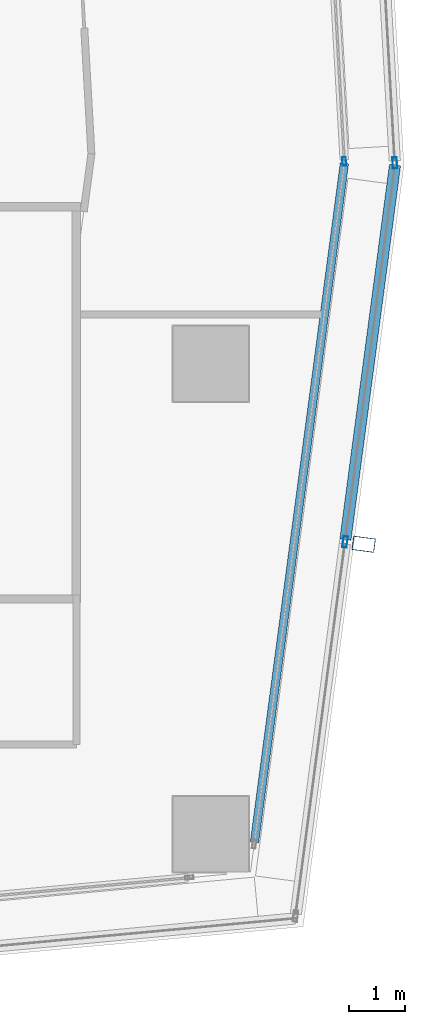
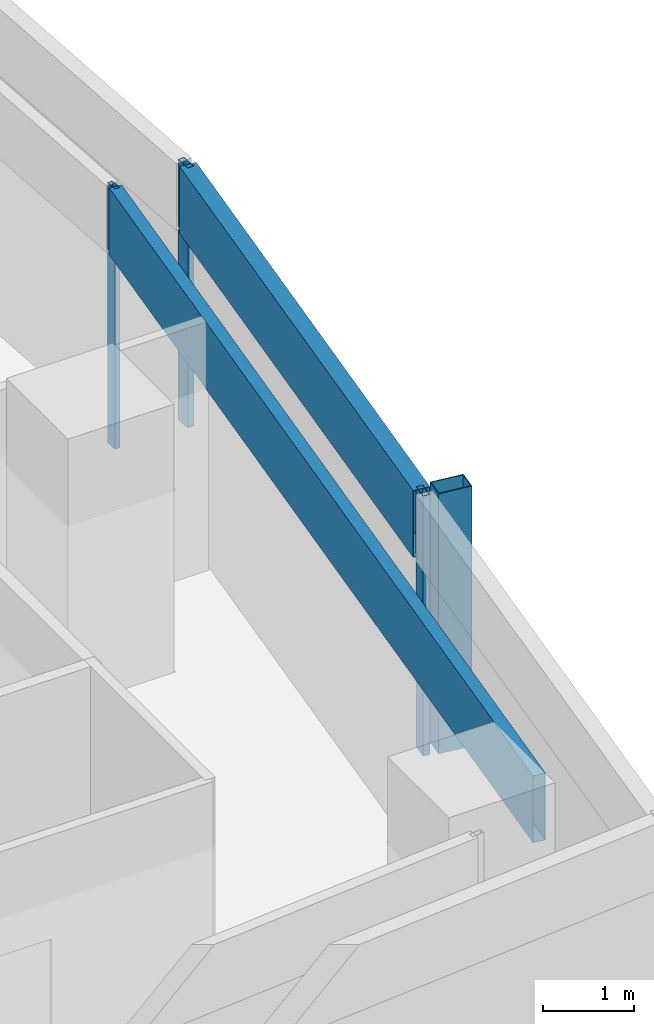
# One storey, part 13 of 39: 6 members, 4 elements without a shape of their own.
"""IFC4 building model written with IfcOpenShell, lengths in metres."""

import ifcopenshell
import ifcopenshell.guid

model = None  # the IFC model being written
_history = None  # IfcOwnerHistory: only IFC2X3 demands one
_inside = {}  # id of a spatial element -> (the spatial element, [elements in it])
_under = {}  # id of a project, library or spatial element -> (it, [spatial elements below it])
_declared = {}  # id of a project -> (the project, [libraries it declares])
_typed = {}  # id of a type object -> (the type object, [elements of that type])
_made_of = {}  # id of a material, layer set ... -> (it, [elements and type objects made of it])


def new_model(schema):
    """Start an empty IFC model of exactly this schema.

    Asked for "IFC4X3", IfcOpenShell would pick the latest addendum, in which some entities
    have other attributes; the version numbers below select the first issue.
    IFC2X3 requires an IfcOwnerHistory on every rooted entity: one is made here for all.
    """
    global model, _history
    if schema == "IFC4X3":
        model = ifcopenshell.file(schema_version=(4, 3, 0, 0))
    else:
        model = ifcopenshell.file(schema=schema)
    _inside.clear()
    _under.clear()
    _declared.clear()
    _typed.clear()
    _made_of.clear()
    _history = None
    if model.schema == "IFC2X3":
        org = make("IfcOrganization", Name="unknown")
        user = make(
            "IfcPersonAndOrganization",
            ThePerson=make("IfcPerson", FamilyName="unknown"),
            TheOrganization=org,
        )
        app = make(
            "IfcApplication",
            ApplicationDeveloper=org,
            Version="unknown",
            ApplicationFullName="unknown",
            ApplicationIdentifier="unknown",
        )
        _history = make(
            "IfcOwnerHistory",
            OwningUser=user,
            OwningApplication=app,
            ChangeAction="ADDED",
            CreationDate=0,
        )
    return model


def make(cls, **values):
    """One entity of the class cls with the attributes given. An attribute that is None is left unset."""
    return model.create_entity(
        cls, **{name: value for name, value in values.items() if value is not None}
    )


def rooted(cls, **values):
    """An entity with a GlobalId (a new one), such as an element, a storey or a relation."""
    return make(cls, GlobalId=ifcopenshell.guid.new(), OwnerHistory=_history, **values)


def si_unit(unit_type, name, prefix=None):
    """IfcSIUnit, for example si_unit("LENGTHUNIT", "METRE", prefix="MILLI")."""
    return make("IfcSIUnit", UnitType=unit_type, Prefix=prefix, Name=name)


def assignment(units):
    """IfcUnitAssignment: the units of a project."""
    return None if units is None else make("IfcUnitAssignment", Units=units)


def point(xyz):
    """IfcCartesianPoint."""
    return None if xyz is None else make("IfcCartesianPoint", Coordinates=xyz)


def direction(xyz):
    """IfcDirection."""
    return None if xyz is None else make("IfcDirection", DirectionRatios=xyz)


def frame(location, z_axis=None, x_axis=None):
    """IfcAxis2Placement3D, a coordinate frame: its origin and axes. An axis left out is left unset."""
    return make(
        "IfcAxis2Placement3D",
        Location=point(location),
        Axis=direction(z_axis),
        RefDirection=direction(x_axis),
    )


def frame_2d(location, x_axis=None):
    """IfcAxis2Placement2D, a coordinate frame in the plane: its origin and x axis."""
    return make(
        "IfcAxis2Placement2D", Location=point(location), RefDirection=direction(x_axis)
    )


def origin():
    """The frame at (0, 0, 0) with its axes left unset."""
    return frame((0.0, 0.0, 0.0))


def origin_2d():
    """The frame at (0, 0) in the plane with its x axis left unset."""
    return frame_2d((0.0, 0.0))


def place(relative_to, where):
    """IfcLocalPlacement: puts the frame where relative to a parent placement (None: the world)."""
    return make(
        "IfcLocalPlacement", PlacementRelTo=relative_to, RelativePlacement=where
    )


def context(
    kind, dimensions, precision=None, world=None, true_north=None, identifier=None
):
    """IfcGeometricRepresentationContext, for example the 3D "Model" context."""
    return make(
        "IfcGeometricRepresentationContext",
        ContextIdentifier=identifier,
        ContextType=kind,
        CoordinateSpaceDimension=dimensions,
        Precision=precision,
        WorldCoordinateSystem=world,
        TrueNorth=true_north,
    )


def subcontext(parent, identifier, kind, view, scale=None):
    """IfcGeometricRepresentationSubContext, for example "Body" below "Model"."""
    return make(
        "IfcGeometricRepresentationSubContext",
        ContextIdentifier=identifier,
        ContextType=kind,
        ParentContext=parent,
        TargetScale=scale,
        TargetView=view,
    )


def project(units=None, contexts=None):
    """IfcProject with its units and contexts."""
    return rooted(
        "IfcProject",
        Name="project",
        RepresentationContexts=contexts,
        UnitsInContext=assignment(units),
    )


def spatial(cls, under=None, at=None, **own):
    """A site, building, storey or space (cls), placed at a placement, below another one or the project."""
    s = rooted(cls, ObjectPlacement=at, **own)
    if under is not None:
        _under.setdefault(under.id(), (under, []))[1].append(s)
    return s


def profile(cls, at=None, kind="AREA", **sizes):
    """A parametric profile (cls). Its sizes go by their IFC names, for example OverallWidth=200.0."""
    return make(cls, ProfileType=kind, Position=at, **sizes)


def hollow_rectangle(**sizes):
    """IfcRectangleHollowProfileDef."""
    return profile("IfcRectangleHollowProfileDef", **sizes)


def extrude(swept, where, along, depth):
    """IfcExtrudedAreaSolid: the profile swept, set in the frame where, extruded along a direction by depth."""
    return make(
        "IfcExtrudedAreaSolid",
        SweptArea=swept,
        Position=where,
        ExtrudedDirection=direction(along),
        Depth=depth,
    )


def shape(context_of_items, identifier, shape_type, items):
    """IfcShapeRepresentation: the items that make up one representation, for example the "Body"."""
    return make(
        "IfcShapeRepresentation",
        ContextOfItems=context_of_items,
        RepresentationIdentifier=identifier,
        RepresentationType=shape_type,
        Items=items,
    )


def material(Name=None, Category=None):
    """IfcMaterial."""
    return make("IfcMaterial", Name=Name, Category=Category)


def material_profile(
    of_material, cross_section, Name=None, Category=None, Priority=None
):
    """IfcMaterialProfile: a cross section and its material."""
    return make(
        "IfcMaterialProfile",
        Name=Name,
        Material=of_material,
        Profile=cross_section,
        Priority=Priority,
        Category=Category,
    )


def profile_set(profiles, Name=None, composite=None):
    """IfcMaterialProfileSet."""
    return make(
        "IfcMaterialProfileSet",
        Name=Name,
        MaterialProfiles=profiles,
        CompositeProfile=composite,
    )


def made_of(thing, what):
    """Note that an element or type object is made of a material, layer set ...; save() writes the relation."""
    if what is not None:
        _made_of.setdefault(what.id(), (what, []))[1].append(thing)
    return thing


def type_object(cls, material=None, **own):
    """A type object (cls), such as IfcWallType, which elements share."""
    return made_of(rooted(cls, **own), material)


def element(
    cls,
    number,
    at=None,
    inside=None,
    cuts=None,
    type_object=None,
    material=None,
    context=None,
    identifier="Body",
    shape_type=None,
    held_by="IfcProductDefinitionShape",
    body=None,
    shapes=None,
    **own,
):
    """One element of the class cls, such as IfcWall. Its Tag is "e" and its number.

    at: its placement. inside: the storey or other place that contains it. cuts: it is an
    opening in that element (IfcRelVoidsElement). A single representation is given by context,
    identifier, shape_type and body (its items); several are given by shapes. held_by: the class
    of the entity that holds the representations. save() writes the other relations.
    """
    e = rooted(cls, Tag="e%d" % number, ObjectPlacement=at, **own)
    if body is not None:
        shapes = [shape(context, identifier, shape_type, body)]
    if shapes is not None:
        e.Representation = make(held_by, Representations=shapes)
    if inside is not None:
        _inside.setdefault(inside.id(), (inside, []))[1].append(e)
    if cuts is not None:
        rooted(
            "IfcRelVoidsElement", RelatingBuildingElement=cuts, RelatedOpeningElement=e
        )
    if type_object is not None:
        _typed.setdefault(type_object.id(), (type_object, []))[1].append(e)
    return made_of(e, material)


def aggregate(whole, parts):
    """IfcRelAggregates: a whole, such as a stair, and the parts it consists of."""
    return rooted("IfcRelAggregates", RelatingObject=whole, RelatedObjects=parts)


def save(model, path):
    """Write the relations noted so far, then the file.

    IfcRelAggregates (storeys below a building ...), IfcRelContainedInSpatialStructure (elements
    in a storey), IfcRelDefinesByType, IfcRelAssociatesMaterial and IfcRelDeclares: one each for
    every whole, place, type object, material and project.
    """
    for whole, parts in _under.values():
        aggregate(whole, parts)
    for where, things in _inside.values():
        rooted(
            "IfcRelContainedInSpatialStructure",
            RelatedElements=things,
            RelatingStructure=where,
        )
    for kind, things in _typed.values():
        rooted("IfcRelDefinesByType", RelatedObjects=things, RelatingType=kind)
    for what, things in _made_of.values():
        rooted("IfcRelAssociatesMaterial", RelatedObjects=things, RelatingMaterial=what)
    for by, libraries in _declared.values():
        rooted("IfcRelDeclares", RelatingContext=by, RelatedDefinitions=libraries)
    model.write(path)


model = new_model("IFC4")

# Units and contexts
model_context = context("Model", 3, precision=1e-05, world=origin(), true_north=direction((0.0, 1.0)))
body_context = subcontext(model_context, "Body", "Model", "MODEL_VIEW")
ifc_project = project(units=[si_unit("LENGTHUNIT", "METRE"), si_unit("AREAUNIT", "SQUARE_METRE"), si_unit("VOLUMEUNIT", "CUBIC_METRE"), si_unit("PLANEANGLEUNIT", "RADIAN"), si_unit("MASSUNIT", "GRAM", prefix="KILO")], contexts=[model_context])

# Site, building, storey
site_placement = place(None, origin())
site = spatial("IfcSite", under=ifc_project, at=site_placement, CompositionType="ELEMENT")
building_placement = place(site_placement, origin())
building = spatial("IfcBuilding", under=site, at=building_placement, Name="Rekha Terrace Tower", CompositionType="ELEMENT")
storey_placement = place(building_placement, frame((0.0, 0.0, 187.699951171875)))
storey = spatial("IfcBuildingStorey", under=building, at=storey_placement, Name="L47", CompositionType="ELEMENT", Elevation=187.699951171875)

# Curtain wall, member
ifc_material_1 = material(Name="Aluminium framing", Category="aluminium")
curtain_wall_type_1 = type_object("IfcCurtainWallType", Name="CW2 double skin outer glazing", PredefinedType="USERDEFINED", material=ifc_material_1)
curtain_wall_1_placement = place(storey_placement, origin())
curtain_wall_1 = element("IfcCurtainWall", 1, at=curtain_wall_1_placement, inside=storey, type_object=curtain_wall_type_1, Name="CW2 double skin outer glazing", ObjectType="DOUBLE SKIN OUTER GLAZING", PredefinedType="USERDEFINED")
ifc_material_2 = material(Name="Steel S355 with fluorocarbon finish", Category="steel")
ifc_material_profile_1 = material_profile(ifc_material_2, hollow_rectangle(XDim=0.25, YDim=0.39990234375, WallThickness=0.012451171875, at=origin_2d()), Name="RHS400x250x12.5")
ifc_profile_set_1 = profile_set([ifc_material_profile_1], Name="Steel S355 with fluorocarbon finish")
member_type_1 = type_object("IfcMemberType", Name="BL1 facade blade RHS 400 x 250", PredefinedType="USERDEFINED", material=ifc_profile_set_1)
member_1_placement = place(storey_placement, frame((61.531005859375, 21.977783203125, 0.0), z_axis=(0.0, 0.0, 1.0), x_axis=(0.131303100637, 0.991342269735, 0.0)))
member_1 = element("IfcMember", 2, at=member_1_placement, type_object=member_type_1, Name="Facade blade", ObjectType="FACADE BLADE", PredefinedType="USERDEFINED", context=body_context, shape_type="SweptSolid", body=[
    extrude(hollow_rectangle(XDim=0.25, YDim=0.39990234375, WallThickness=0.012451171875, at=origin_2d()), origin(), (0.0, 0.0, 1.0), 3.5),
])

curtain_wall_type_2 = type_object("IfcCurtainWallType", Name="CW1 double skin inner glazing", PredefinedType="USERDEFINED", material=ifc_material_1)
curtain_wall_2_placement = place(storey_placement, origin())
curtain_wall_2 = element("IfcCurtainWall", 3, at=curtain_wall_2_placement, inside=storey, type_object=curtain_wall_type_2, Name="CW1 double skin inner glazing", ObjectType="DOUBLE SKIN INNER GLAZING", PredefinedType="USERDEFINED")
ifc_material_3 = material(Name="Aluminium mullion section", Category="aluminium")
ifc_material_profile_2 = material_profile(ifc_material_3, hollow_rectangle(XDim=0.06494140625, YDim=0.14990234375, WallThickness=0.00390625, at=origin_2d()), Name="AL RHS 65x150")
ifc_profile_set_2 = profile_set([ifc_material_profile_2], Name="Aluminium mullion section")
member_type_2 = type_object("IfcMemberType", Name="CW1 mullion RHS 65 x 150", PredefinedType="MULLION", material=ifc_profile_set_2)
member_2_placement = place(storey_placement, frame((61.18408203125, 28.812255859375, 0.0), z_axis=(0.0, 0.0, 1.0), x_axis=(-0.998392782919, -0.05667319486, 0.0)))
member_2 = element("IfcMember", 4, at=member_2_placement, type_object=member_type_2, Name="CW1 mullion 1", PredefinedType="MULLION", context=body_context, shape_type="SweptSolid", body=[
    extrude(hollow_rectangle(XDim=0.06494140625, YDim=0.14990234375, WallThickness=0.00390625, at=origin_2d()), origin(), (0.0, 0.0, 1.0), 3.5),
])
aggregate(curtain_wall_2, [member_2])

curtain_wall_3_placement = place(storey_placement, origin())
curtain_wall_3 = element("IfcCurtainWall", 5, at=curtain_wall_3_placement, inside=storey, type_object=curtain_wall_type_2, Name="CW1 double skin inner glazing", ObjectType="DOUBLE SKIN INNER GLAZING", PredefinedType="USERDEFINED")
ifc_material_4 = material(Name="Insulated aluminium spandrel box", Category="aluminium")
ifc_material_profile_3 = material_profile(ifc_material_4, hollow_rectangle(XDim=0.14990234375, YDim=0.89990234375, WallThickness=0.0029296875, at=origin_2d()), Name="AL SPANDREL BOX 150x900")
ifc_profile_set_3 = profile_set([ifc_material_profile_3], Name="Insulated aluminium spandrel box")
member_type_3 = type_object("IfcMemberType", Name="CW1 spandrel transom 150 x 900", PredefinedType="USERDEFINED", material=ifc_profile_set_3)
member_3_placement = place(storey_placement, frame((59.580322265625, 16.656982421875, 3.050048828125), z_axis=(0.131307111352, 0.991341738508, 0.0), x_axis=(-0.991341738508, 0.131307111352, 0.0)))
member_3 = element("IfcMember", 6, at=member_3_placement, type_object=member_type_3, Name="CW1 spandrel transom 1", ObjectType="TRANSOM", PredefinedType="USERDEFINED", context=body_context, shape_type="SweptSolid", body=[
    extrude(hollow_rectangle(XDim=0.14990234375, YDim=0.89990234375, WallThickness=0.0029296875, at=origin_2d()), origin(), (0.0, 0.0, 1.0), 12.228759765625),
])
aggregate(curtain_wall_3, [member_3])

# Member
ifc_material_profile_4 = material_profile(ifc_material_3, hollow_rectangle(XDim=0.080078125, YDim=0.199951171875, WallThickness=0.00390625, at=origin_2d()), Name="AL RHS 80x200")
ifc_profile_set_4 = profile_set([ifc_material_profile_4], Name="Aluminium mullion section")
member_type_4 = type_object("IfcMemberType", Name="CW2 mullion RHS 80 x 200", PredefinedType="MULLION", material=ifc_profile_set_4)
member_4_placement = place(storey_placement, frame((61.19873046875, 22.021728515625, 0.0), z_axis=(0.0, 0.0, 1.0), x_axis=(-0.991342203187, 0.131303603075, 0.0)))
member_4 = element("IfcMember", 7, at=member_4_placement, type_object=member_type_4, Name="CW2 mullion 2", PredefinedType="MULLION", context=body_context, shape_type="SweptSolid", body=[
    extrude(hollow_rectangle(XDim=0.080078125, YDim=0.199951171875, WallThickness=0.00390625, at=origin_2d()), origin(), (0.0, 0.0, 1.0), 3.5),
])

# Curtain wall, member
curtain_wall_4_placement = place(storey_placement, origin())
curtain_wall_4 = element("IfcCurtainWall", 8, at=curtain_wall_4_placement, inside=storey, type_object=curtain_wall_type_1, Name="CW2 double skin outer glazing", ObjectType="DOUBLE SKIN OUTER GLAZING", PredefinedType="USERDEFINED")
member_5_placement = place(storey_placement, frame((62.087158203125, 28.785888671875, 0.0), z_axis=(0.0, 0.0, 1.0), x_axis=(-0.998392782919, -0.05667319486, 0.0)))
member_5 = element("IfcMember", 9, at=member_5_placement, type_object=member_type_4, Name="CW2 mullion 1", PredefinedType="MULLION", context=body_context, shape_type="SweptSolid", body=[
    extrude(hollow_rectangle(XDim=0.080078125, YDim=0.199951171875, WallThickness=0.00390625, at=origin_2d()), origin(), (0.0, 0.0, 1.0), 3.5),
])
aggregate(curtain_wall_4, [member_5])

# Member
ifc_material_profile_5 = material_profile(ifc_material_4, hollow_rectangle(XDim=0.199951171875, YDim=0.89990234375, WallThickness=0.0029296875, at=origin_2d()), Name="AL SPANDREL BOX 200x900")
ifc_profile_set_5 = profile_set([ifc_material_profile_5], Name="Insulated aluminium spandrel box")
member_type_5 = type_object("IfcMemberType", Name="CW2 spandrel transom 200 x 900", PredefinedType="USERDEFINED", material=ifc_profile_set_5)
member_6_placement = place(storey_placement, frame((61.2041015625, 22.0615234375, 3.050048828125), z_axis=(0.131286165193, 0.991344512684, 0.0), x_axis=(-0.991344512684, 0.131286165193, 0.0)))
member_6 = element("IfcMember", 10, at=member_6_placement, type_object=member_type_5, Name="CW2 spandrel transom 2", ObjectType="TRANSOM", PredefinedType="USERDEFINED", context=body_context, shape_type="SweptSolid", body=[
    extrude(hollow_rectangle(XDim=0.199951171875, YDim=0.89990234375, WallThickness=0.0029296875, at=origin_2d()), origin(), (0.0, 0.0, 1.0), 6.742919921875),
])

aggregate(curtain_wall_1, [member_4, member_6, member_1])

save(model, "model.ifc")
